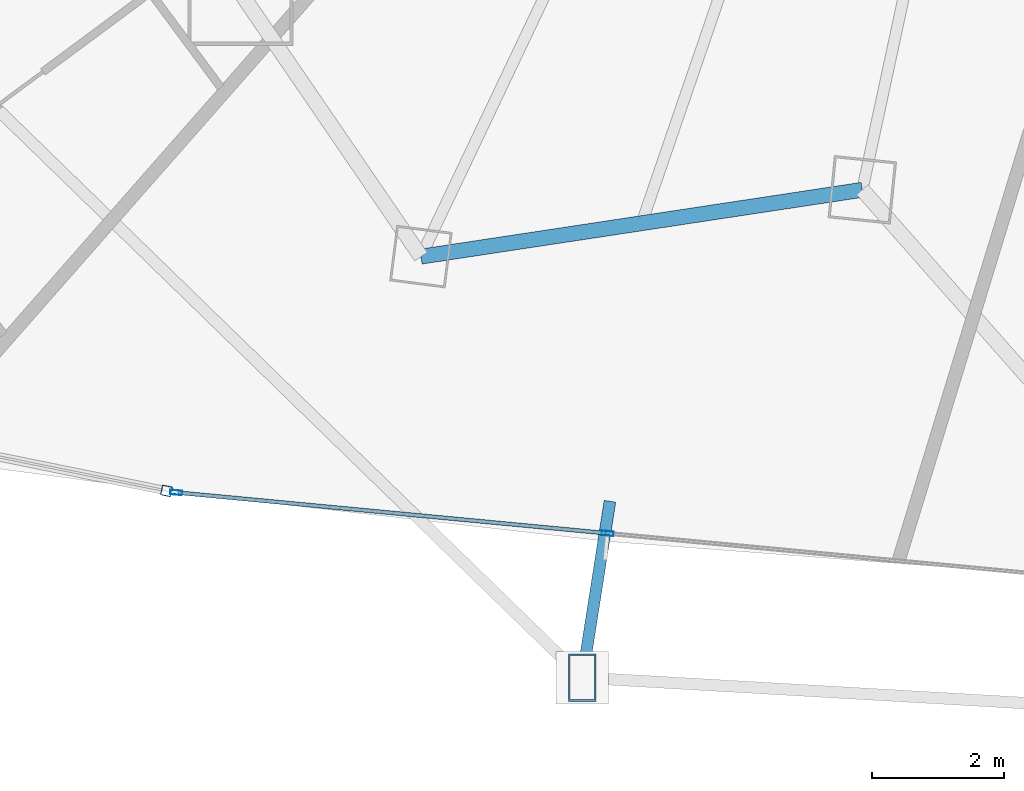
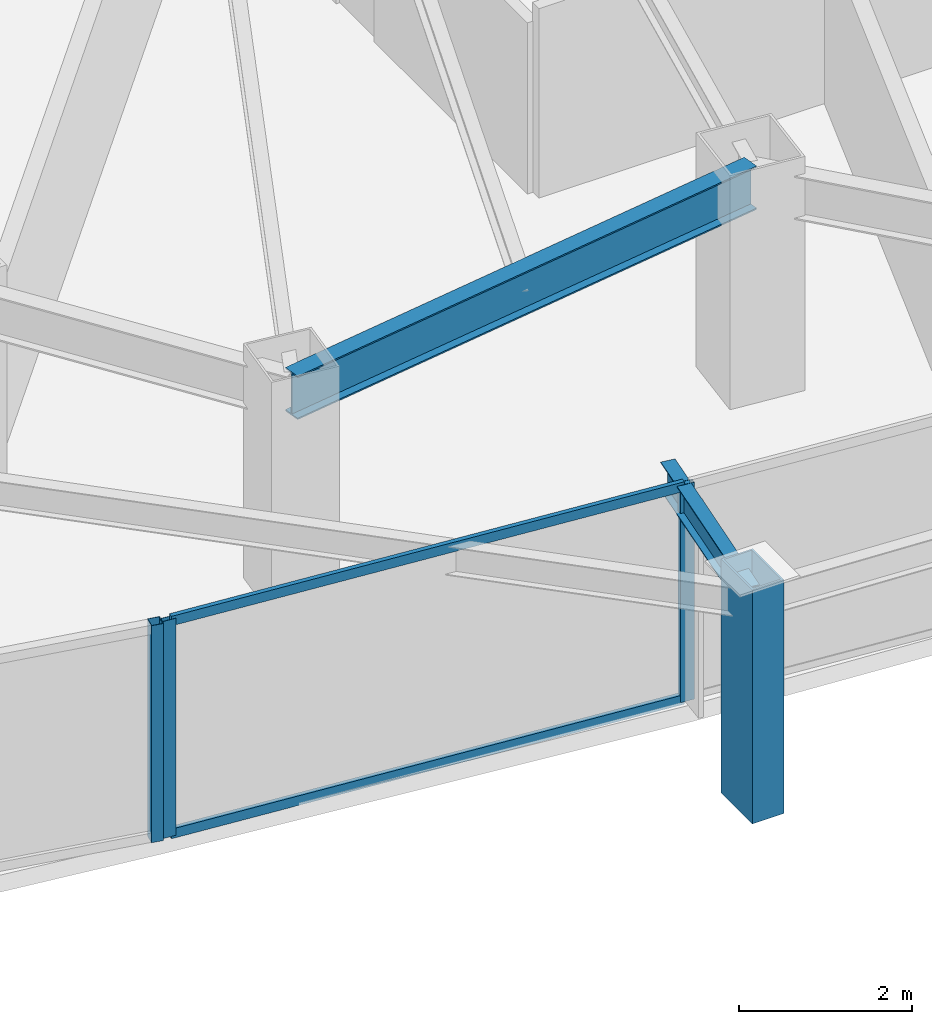
# One storey, part 4 of 38: 6 members, 2 beams, 2 elements without a shape of their own.
"""IFC4 building model written with IfcOpenShell, lengths in metres."""

from ifc_helpers import new_model, si_unit, direction, frame, origin, origin_2d, place, context, subcontext, project, spatial, hollow_rectangle, i_section, extrude, material, layer, layer_set, material_profile, profile_set, type_object, element, aggregate, save


model = new_model("IFC4")

# Units and contexts
model_context = context("Model", 3, precision=1e-05, world=origin(), true_north=direction((0.0, 1.0)))
body_context = subcontext(model_context, "Body", "Model", "MODEL_VIEW")
ifc_project = project(units=[si_unit("LENGTHUNIT", "METRE"), si_unit("AREAUNIT", "SQUARE_METRE"), si_unit("VOLUMEUNIT", "CUBIC_METRE"), si_unit("PLANEANGLEUNIT", "RADIAN"), si_unit("MASSUNIT", "GRAM", prefix="KILO")], contexts=[model_context])

# Site, building, storey
site_placement = place(None, origin())
site = spatial("IfcSite", under=ifc_project, at=site_placement, CompositionType="ELEMENT")
building_placement = place(site_placement, origin())
building = spatial("IfcBuilding", under=site, at=building_placement, Name="Orvanel Arch Residences", CompositionType="ELEMENT")
storey_placement = place(building_placement, frame((0.0, 0.0, 50.0)))
storey = spatial("IfcBuildingStorey", under=building, at=storey_placement, Name="L13", CompositionType="ELEMENT", Elevation=50.0)

# Member
ifc_material_1 = material(Name="Structural steel AS/NZS 3678 Grade 350", Category="steel")
ifc_material_profile_1 = material_profile(ifc_material_1, hollow_rectangle(XDim=0.419921875, YDim=0.719970703125, WallThickness=0.02490234375, at=origin_2d()), Name="RHS720x420x25")
ifc_profile_set_1 = profile_set([ifc_material_profile_1], Name="Structural steel AS/NZS 3678 Grade 350")
member_type_1 = type_object("IfcMemberType", Name="CH-720RHS-EXT", PredefinedType="CHORD", material=ifc_profile_set_1)
member_1_placement = place(storey_placement, frame((19.39306640625, -0.06005859375, 0.0), z_axis=(0.0, 0.0, 1.0), x_axis=(1.0, 0.0, 0.0)))
element("IfcMember", 1, at=member_1_placement, inside=storey, type_object=member_type_1, Name="L13 Outer Perimeter Frame Post 05", PredefinedType="CHORD", context=body_context, shape_type="SweptSolid", body=[
    extrude(hollow_rectangle(XDim=0.419921875, YDim=0.719970703125, WallThickness=0.02490234375, at=origin_2d()), origin(), (0.0, 0.0, 1.0), 3.300048828125),
])

# Curtain wall, member
ifc_material_2 = material(Name="Bronze-anodised aluminium AA6063-T6", Category="aluminium")
ifc_layer_1 = layer(ifc_material_2, 0.18994140625)
ifc_layer_set_1 = layer_set([ifc_layer_1], Name="Bronze-anodised aluminium AA6063-T6")
curtain_wall_type_1 = type_object("IfcCurtainWallType", Name="CW5-CRN-SYS", PredefinedType="NOTDEFINED", material=ifc_layer_set_1)
curtain_wall_1_placement = place(storey_placement, origin())
curtain_wall_1 = element("IfcCurtainWall", 2, at=curtain_wall_1_placement, inside=storey, type_object=curtain_wall_type_1, Name="L13 CW5-CRN-SYS Unitised Curtain Wall", PredefinedType="NOTDEFINED")
ifc_material_profile_2 = material_profile(ifc_material_2, hollow_rectangle(XDim=0.14990234375, YDim=0.14990234375, WallThickness=0.0048828125, at=origin_2d()), Name="ALU150x150x5")
ifc_profile_set_2 = profile_set([ifc_material_profile_2], Name="Bronze-anodised aluminium AA6063-T6")
member_type_2 = type_object("IfcMemberType", Name="MUL-150x150", PredefinedType="MULLION", material=ifc_profile_set_2)
member_2_placement = place(storey_placement, frame((13.072509765625, 2.779052734375, 0.0), z_axis=(0.0, 0.0, 1.0), x_axis=(0.199178527808, 0.979963220769, 0.0)))
member_2 = element("IfcMember", 3, at=member_2_placement, type_object=member_type_2, Name="CW-S5 mullion 3", PredefinedType="MULLION", context=body_context, shape_type="SweptSolid", body=[
    extrude(hollow_rectangle(XDim=0.14990234375, YDim=0.14990234375, WallThickness=0.0048828125, at=origin_2d()), origin(), (0.0, 0.0, 1.0), 3.06005859375),
])
aggregate(curtain_wall_1, [member_2])

# Curtain wall, members
ifc_layer_2 = layer(ifc_material_2, 0.179931640625)
ifc_layer_set_2 = layer_set([ifc_layer_2], Name="Bronze-anodised aluminium AA6063-T6")
curtain_wall_type_2 = type_object("IfcCurtainWallType", Name="CW2-LOW-SYS", PredefinedType="NOTDEFINED", material=ifc_layer_set_2)
curtain_wall_2_placement = place(storey_placement, origin())
curtain_wall_2 = element("IfcCurtainWall", 4, at=curtain_wall_2_placement, inside=storey, type_object=curtain_wall_type_2, Name="L13 CW2-LOW-SYS Unitised Curtain Wall", PredefinedType="NOTDEFINED")
ifc_material_profile_3 = material_profile(ifc_material_2, hollow_rectangle(XDim=0.070068359375, YDim=0.179931640625, WallThickness=0.00439453125, at=origin_2d()), Name="ALU180x70x4.5")
ifc_profile_set_3 = profile_set([ifc_material_profile_3], Name="Bronze-anodised aluminium AA6063-T6")
member_type_3 = type_object("IfcMemberType", Name="MUL-180x70", PredefinedType="MULLION", material=ifc_profile_set_3)
member_3_placement = place(storey_placement, frame((13.220947265625, 2.754638671875, 0.0), z_axis=(0.0, 0.0, 1.0), x_axis=(0.094246004419, 0.995548939355, 0.0)))
member_3 = element("IfcMember", 5, at=member_3_placement, type_object=member_type_3, Name="CW-S2 mullion 1", PredefinedType="MULLION", context=body_context, shape_type="SweptSolid", body=[
    extrude(hollow_rectangle(XDim=0.070068359375, YDim=0.179931640625, WallThickness=0.00439453125, at=origin_2d()), origin(), (0.0, 0.0, 1.0), 3.06005859375),
])
member_4_placement = place(storey_placement, frame((19.777587890625, 2.134033203125, 0.0), z_axis=(0.0, 0.0, 1.0), x_axis=(0.094246004419, 0.995548939355, 0.0)))
member_4 = element("IfcMember", 6, at=member_4_placement, type_object=member_type_3, Name="CW-S2 mullion 2", PredefinedType="MULLION", context=body_context, shape_type="SweptSolid", body=[
    extrude(hollow_rectangle(XDim=0.070068359375, YDim=0.179931640625, WallThickness=0.00439453125, at=origin_2d()), origin(), (0.0, 0.0, 1.0), 3.06005859375),
])

# Beams
ifc_material_3 = material(Name="Structural steel AS/NZS 3679.1 Grade 300 (300 MPa)", Category="steel")
ifc_material_profile_4 = material_profile(ifc_material_3, i_section(OverallWidth=0.177978515625, OverallDepth=0.406005859375, WebThickness=0.0078125, FlangeThickness=0.0126953125, at=origin_2d()), Name="410UB59.7")
ifc_profile_set_4 = profile_set([ifc_material_profile_4], Name="Structural steel AS/NZS 3679.1 Grade 300 (300 MPa)")
beam_type_1 = type_object("IfcBeamType", Name="OB-410UB-EXT", PredefinedType="SPANDREL", material=ifc_profile_set_4)
beam_1_placement = place(storey_placement, frame((19.81396484375, 2.62109375, 2.85693359375), z_axis=(-0.155084829216, -0.987901156871, 0.0), x_axis=(0.987901156871, -0.155084829216, 0.0)))
element("IfcBeam", 7, at=beam_1_placement, inside=storey, type_object=beam_type_1, Name="L13 Outer Frame Radial Tie Beam 05", PredefinedType="SPANDREL", context=body_context, shape_type="SweptSolid", body=[
    extrude(i_section(OverallWidth=0.177978515625, OverallDepth=0.406005859375, WebThickness=0.0078125, FlangeThickness=0.0126953125, at=origin_2d()), origin(), (0.0, 0.0, 1.0), 2.7138671875),
])
ifc_material_profile_5 = material_profile(ifc_material_3, i_section(OverallWidth=0.22900390625, OverallDepth=0.612060546875, WebThickness=0.011962890625, FlangeThickness=0.01953125, at=origin_2d()), Name="610UB125")
ifc_profile_set_5 = profile_set([ifc_material_profile_5], Name="Structural steel AS/NZS 3679.1 Grade 300 (300 MPa)")
beam_type_2 = type_object("IfcBeamType", Name="SP-610UB", PredefinedType="SPANDREL", material=ifc_profile_set_5)
beam_2_placement = place(storey_placement, frame((16.94091796875, 6.339111328125, 2.75390625), z_axis=(0.988726323014, 0.149733958002, 0.0), x_axis=(-0.149733958002, 0.988726323014, 0.0)))
element("IfcBeam", 8, at=beam_2_placement, inside=storey, type_object=beam_type_2, Name="L13 Perimeter Spandrel Beam 04", PredefinedType="SPANDREL", context=body_context, shape_type="SweptSolid", body=[
    extrude(i_section(OverallWidth=0.22900390625, OverallDepth=0.612060546875, WebThickness=0.011962890625, FlangeThickness=0.01953125, at=origin_2d()), origin(), (0.0, 0.0, 1.0), 6.784423828125),
])

# Member
ifc_material_profile_6 = material_profile(ifc_material_2, hollow_rectangle(XDim=0.06005859375, YDim=0.135009765625, WallThickness=0.00390625, at=origin_2d()), Name="ALU135x60x4")
ifc_profile_set_6 = profile_set([ifc_material_profile_6], Name="Bronze-anodised aluminium AA6063-T6")
member_type_4 = type_object("IfcMemberType", Name="TRN-135x60", PredefinedType="USERDEFINED", material=ifc_profile_set_6)
member_5_placement = place(storey_placement, frame((13.255615234375, 2.75146484375, 0.030029296875), z_axis=(0.995546853795, -0.094268032221, 0.0), x_axis=(0.094268032221, 0.995546853795, 0.0)))
member_5 = element("IfcMember", 9, at=member_5_placement, type_object=member_type_4, Name="CW-S2 transom 1.1", ObjectType="TRANSOM", PredefinedType="USERDEFINED", context=body_context, shape_type="SweptSolid", body=[
    extrude(hollow_rectangle(XDim=0.06005859375, YDim=0.135009765625, WallThickness=0.00390625, at=origin_2d()), origin(), (0.0, 0.0, 1.0), 6.51611328125),
])

member_6_placement = place(storey_placement, frame((13.255615234375, 2.75146484375, 3.030029296875), z_axis=(0.995546853795, -0.094268032221, 0.0), x_axis=(0.094268032221, 0.995546853795, 0.0)))
member_6 = element("IfcMember", 10, at=member_6_placement, type_object=member_type_4, Name="CW-S2 transom 1.2", ObjectType="TRANSOM", PredefinedType="USERDEFINED", context=body_context, shape_type="SweptSolid", body=[
    extrude(hollow_rectangle(XDim=0.06005859375, YDim=0.135009765625, WallThickness=0.00390625, at=origin_2d()), origin(), (0.0, 0.0, 1.0), 6.51611328125),
])

aggregate(curtain_wall_2, [member_3, member_4, member_5, member_6])

save(model, "model.ifc")
